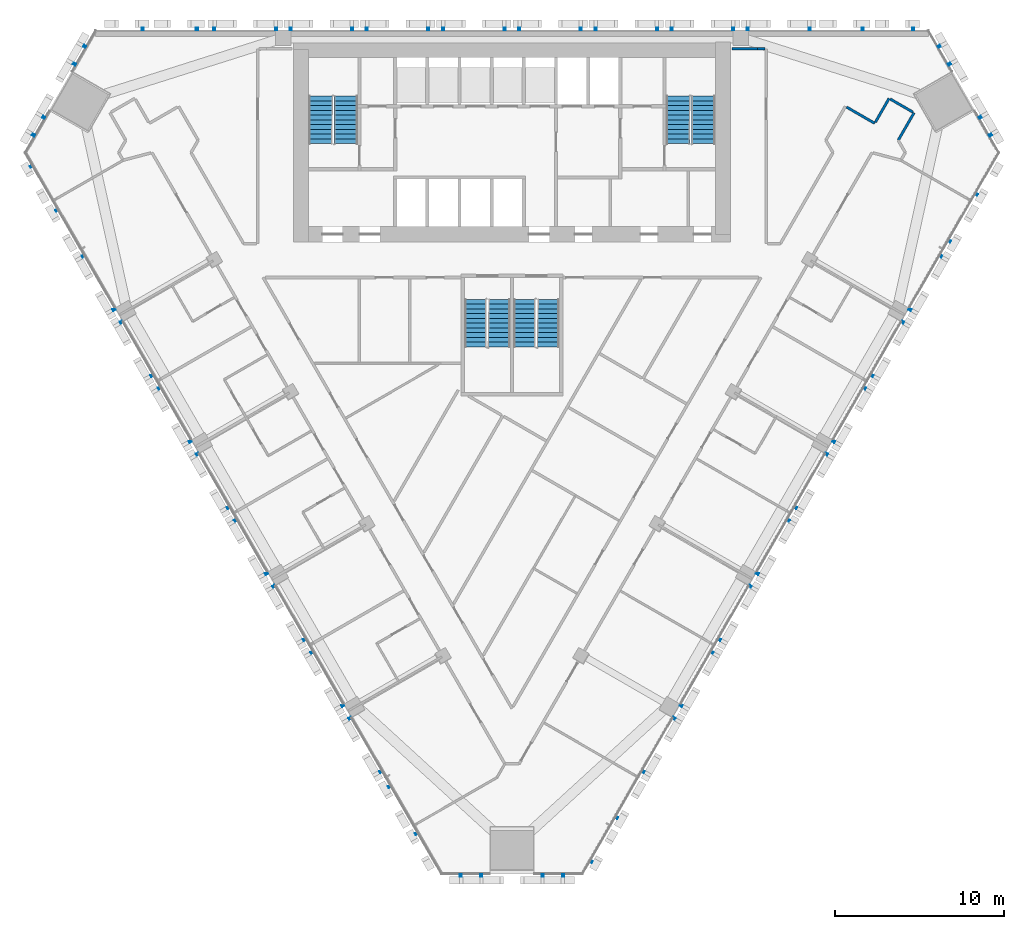
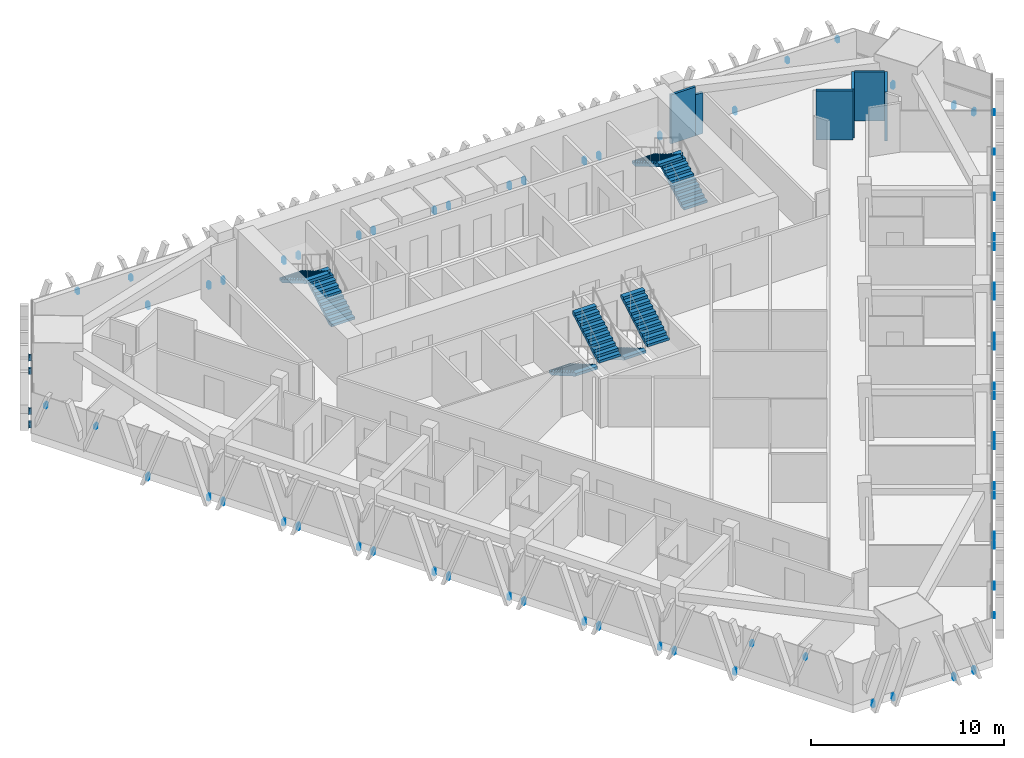
# One storey, part 13 of 16: 8 stair flights, 6 discrete accessories, 6 walls, 4 elements without a shape of their own.
"""IFC4 building model written with IfcOpenShell, lengths in metres."""

from ifc_helpers import new_model, si_unit, direction, frame, frame_2d, origin, place, context, subcontext, project, spatial, polyline, rectangle, outline, extrude, source, transform, mapped, material, layer, layer_set, type_object, element, aggregate, save


model = new_model("IFC4")

# Units and contexts
model_context = context("Model", 3, precision=1e-05, world=origin(), true_north=direction((0.0, 1.0)))
body_context = subcontext(model_context, "Body", "Model", "MODEL_VIEW")
ifc_project = project(units=[si_unit("LENGTHUNIT", "METRE"), si_unit("AREAUNIT", "SQUARE_METRE"), si_unit("VOLUMEUNIT", "CUBIC_METRE"), si_unit("PLANEANGLEUNIT", "RADIAN"), si_unit("MASSUNIT", "GRAM", prefix="KILO")], contexts=[model_context])

# Site, building, storey
site_placement = place(None, origin())
site = spatial("IfcSite", under=ifc_project, at=site_placement, CompositionType="ELEMENT")
building_placement = place(site_placement, origin())
building = spatial("IfcBuilding", under=site, at=building_placement, Name="Altiplano Prism Tower", CompositionType="ELEMENT")
storey_placement = place(building_placement, frame((0.0, 0.0, 104.39990234375)))
storey = spatial("IfcBuildingStorey", under=building, at=storey_placement, Name="L26", CompositionType="ELEMENT", Elevation=104.39990234375)

# Walls
ifc_material_1 = material(Name="Plasterboard on steel stud", Category="steel")
ifc_layer = layer(ifc_material_1, 0.14990234375)
ifc_layer_set = layer_set([ifc_layer], Name="Plasterboard on steel stud")
wall_type = type_object("IfcWallType", Name="Partition 150 corridor", PredefinedType="PARTITIONING", material=ifc_layer_set)
wall_1_placement = place(storey_placement, frame((107.798583984375, 98.5, 0.0), z_axis=(0.0, 0.0, 1.0), x_axis=(0.499951854219, 0.86605319898, 0.0)))
element("IfcWall", 1, at=wall_1_placement, inside=storey, type_object=wall_type, Name="Partition P06 L26 009", PredefinedType="PARTITIONING", context=body_context, shape_type="SweptSolid", body=[
    extrude(rectangle(XDim=1.873291015625, YDim=0.14990234375, at=frame_2d((0.9365234375, 0.0))), origin(), (0.0, 0.0, 1.0), 3.10009765625),
])
wall_2_placement = place(storey_placement, frame((108.670166015625, 100.15966796875, 0.0), z_axis=(0.0, 0.0, 1.0), x_axis=(-0.865975732936, 0.500086022567, 0.0)))
element("IfcWall", 2, at=wall_2_placement, inside=storey, type_object=wall_type, Name="Partition P06 L26 010", PredefinedType="PARTITIONING", context=body_context, shape_type="SweptSolid", body=[
    extrude(rectangle(XDim=1.550048828125, YDim=0.14990234375, at=frame_2d((0.77490234375, 0.0))), origin(), (0.0, 0.0, 1.0), 3.10009765625),
])
wall_3_placement = place(storey_placement, frame((107.262939453125, 100.97216796875, 0.0), z_axis=(0.0, 0.0, 1.0), x_axis=(-0.500017246033, -0.866015446554, 0.0)))
element("IfcWall", 3, at=wall_3_placement, inside=storey, type_object=wall_type, Name="Partition P06 L26 011", PredefinedType="PARTITIONING", context=body_context, shape_type="SweptSolid", body=[
    extrude(rectangle(XDim=1.625, YDim=0.14990234375, at=frame_2d((0.8125, 0.0))), origin(), (0.0, 0.0, 1.0), 3.10009765625),
])
wall_4_placement = place(storey_placement, frame((106.412841796875, 99.5, 0.0), z_axis=(0.0, 0.0, 1.0), x_axis=(-0.866033512162, 0.499985955615, 0.0)))
element("IfcWall", 4, at=wall_4_placement, inside=storey, type_object=wall_type, Name="Partition P06 L26 012", PredefinedType="PARTITIONING", context=body_context, shape_type="SweptSolid", body=[
    extrude(rectangle(XDim=1.9248046875, YDim=0.14990234375, at=frame_2d((0.96240234375, 0.0))), origin(), (0.0, 0.0, 1.0), 3.10009765625),
])
wall_5_placement = place(storey_placement, frame((99.925048828125, 103.89990234375, 0.0), z_axis=(0.0, 0.0, 1.0), x_axis=(-1.0, 0.0, 0.0)))
element("IfcWall", 5, at=wall_5_placement, inside=storey, type_object=wall_type, Name="Partition P06 L26 018", PredefinedType="PARTITIONING", context=body_context, shape_type="SweptSolid", body=[
    extrude(rectangle(XDim=0.431640625, YDim=0.14990234375, at=frame_2d((0.2158203125, 0.0))), origin(), (0.0, 0.0, 1.0), 2.60009765625),
])
wall_6_placement = place(storey_placement, frame((99.493408203125, 103.89990234375, 0.0), z_axis=(0.0, 0.0, 1.0), x_axis=(-1.0, 0.0, 0.0)))
element("IfcWall", 6, at=wall_6_placement, inside=storey, type_object=wall_type, Name="Partition P06 L26 019", PredefinedType="PARTITIONING", context=body_context, shape_type="SweptSolid", body=[
    extrude(rectangle(XDim=1.493408203125, YDim=0.14990234375, at=frame_2d((0.74658203125, 0.0))), origin(), (0.0, 0.0, 1.0), 3.10009765625),
])

# Stair, stair flights
ifc_material_2 = material(Name="Concrete C40/50", Category="concrete")
stair_type_1 = type_object("IfcStairType", Name="Exit stair 1400", PredefinedType="HALF_TURN_STAIR", material=ifc_material_2)
stair_1_placement = place(storey_placement, origin())
stair_1 = element("IfcStair", 7, at=stair_1_placement, inside=storey, type_object=stair_type_1, Name="L26 Exit Stair 1", PredefinedType="HALF_TURN_STAIR")
stair_flight_type = type_object("IfcStairFlightType", Name="Stair flight concrete 150", PredefinedType="STRAIGHT", material=ifc_material_2)
stair_flight_1_placement = place(storey_placement, frame((75.199951171875, 98.300048828125, 0.0), z_axis=(0.0, 0.0, 1.0), x_axis=(0.0, 1.0, 0.0)))
stair_flight_1 = element("IfcStairFlight", 8, at=stair_flight_1_placement, type_object=stair_flight_type, Name="ST1 flight 1", NumberOfRisers=11, NumberOfTreads=10, PredefinedType="STRAIGHT", RiserHeight=0.163636364, TreadLength=0.28, context=body_context, shape_type="SweptSolid", body=[
    extrude(outline(polyline([(0.0, 0.0), (0.0, 0.16357421875), (0.280029296875, 0.16357421875), (0.280029296875, 0.327392578125), (0.56005859375, 0.327392578125), (0.56005859375, 0.490966796875), (0.840087890625, 0.490966796875), (0.840087890625, 0.654541015625), (1.1201171875, 0.654541015625), (1.1201171875, 0.818115234375), (1.39990234375, 0.818115234375), (1.39990234375, 0.98193359375), (1.679931640625, 0.98193359375), (1.679931640625, 1.1455078125), (1.9599609375, 1.1455078125), (1.9599609375, 1.30908203125), (2.239990234375, 1.30908203125), (2.239990234375, 1.47265625), (2.52001953125, 1.47265625), (2.52001953125, 1.636474609375), (2.800048828125, 1.636474609375), (2.800048828125, 1.800048828125), (2.800048828125, 1.462646484375), (0.297119140625, 0.0), (0.0, 0.0)])), frame((0.0, 0.699951171875, 0.0), z_axis=(0.0, -1.0, 0.0), x_axis=(1.0, 0.0, 0.0)), (0.0, 0.0, 1.0), 1.39990234375),
])
stair_flight_2_placement = place(storey_placement, frame((73.699951171875, 101.10009765625, 1.800048828125), z_axis=(0.0, 0.0, 1.0), x_axis=(0.0, -1.0, 0.0)))
stair_flight_2 = element("IfcStairFlight", 9, at=stair_flight_2_placement, type_object=stair_flight_type, Name="ST1 flight 2", NumberOfRisers=11, NumberOfTreads=10, PredefinedType="STRAIGHT", RiserHeight=0.163636364, TreadLength=0.28, context=body_context, shape_type="SweptSolid", body=[
    extrude(outline(polyline([(0.0, 0.0), (0.0, 0.16357421875), (0.280029296875, 0.16357421875), (0.280029296875, 0.327392578125), (0.56005859375, 0.327392578125), (0.56005859375, 0.490966796875), (0.840087890625, 0.490966796875), (0.840087890625, 0.654541015625), (1.1201171875, 0.654541015625), (1.1201171875, 0.818115234375), (1.39990234375, 0.818115234375), (1.39990234375, 0.98193359375), (1.679931640625, 0.98193359375), (1.679931640625, 1.1455078125), (1.9599609375, 1.1455078125), (1.9599609375, 1.30908203125), (2.239990234375, 1.30908203125), (2.239990234375, 1.47265625), (2.52001953125, 1.47265625), (2.52001953125, 1.636474609375), (2.800048828125, 1.636474609375), (2.800048828125, 1.800048828125), (2.800048828125, 1.462646484375), (0.297119140625, 0.0), (0.0, 0.0)])), frame((0.0, 0.699951171875, 0.0), z_axis=(0.0, -1.0, 0.0), x_axis=(1.0, 0.0, 0.0)), (0.0, 0.0, 1.0), 1.39990234375),
])
aggregate(stair_1, [stair_flight_1, stair_flight_2])

stair_2_placement = place(storey_placement, origin())
stair_2 = element("IfcStair", 10, at=stair_2_placement, inside=storey, type_object=stair_type_1, Name="L26 Exit Stair 2", PredefinedType="HALF_TURN_STAIR")
stair_flight_3_placement = place(storey_placement, frame((96.300048828125, 98.300048828125, 0.0), z_axis=(0.0, 0.0, 1.0), x_axis=(0.0, 1.0, 0.0)))
stair_flight_3 = element("IfcStairFlight", 11, at=stair_flight_3_placement, type_object=stair_flight_type, Name="ST2 flight 1", NumberOfRisers=11, NumberOfTreads=10, PredefinedType="STRAIGHT", RiserHeight=0.163636364, TreadLength=0.28, context=body_context, shape_type="SweptSolid", body=[
    extrude(outline(polyline([(0.0, 0.0), (0.0, 0.16357421875), (0.280029296875, 0.16357421875), (0.280029296875, 0.327392578125), (0.56005859375, 0.327392578125), (0.56005859375, 0.490966796875), (0.840087890625, 0.490966796875), (0.840087890625, 0.654541015625), (1.1201171875, 0.654541015625), (1.1201171875, 0.818115234375), (1.39990234375, 0.818115234375), (1.39990234375, 0.98193359375), (1.679931640625, 0.98193359375), (1.679931640625, 1.1455078125), (1.9599609375, 1.1455078125), (1.9599609375, 1.30908203125), (2.239990234375, 1.30908203125), (2.239990234375, 1.47265625), (2.52001953125, 1.47265625), (2.52001953125, 1.636474609375), (2.800048828125, 1.636474609375), (2.800048828125, 1.800048828125), (2.800048828125, 1.462646484375), (0.297119140625, 0.0), (0.0, 0.0)])), frame((0.0, 0.699951171875, 0.0), z_axis=(0.0, -1.0, 0.0), x_axis=(1.0, 0.0, 0.0)), (0.0, 0.0, 1.0), 1.39990234375),
])
stair_flight_4_placement = place(storey_placement, frame((94.800048828125, 101.10009765625, 1.800048828125), z_axis=(0.0, 0.0, 1.0), x_axis=(0.0, -1.0, 0.0)))
stair_flight_4 = element("IfcStairFlight", 12, at=stair_flight_4_placement, type_object=stair_flight_type, Name="ST2 flight 2", NumberOfRisers=11, NumberOfTreads=10, PredefinedType="STRAIGHT", RiserHeight=0.163636364, TreadLength=0.28, context=body_context, shape_type="SweptSolid", body=[
    extrude(outline(polyline([(0.0, 0.0), (0.0, 0.16357421875), (0.280029296875, 0.16357421875), (0.280029296875, 0.327392578125), (0.56005859375, 0.327392578125), (0.56005859375, 0.490966796875), (0.840087890625, 0.490966796875), (0.840087890625, 0.654541015625), (1.1201171875, 0.654541015625), (1.1201171875, 0.818115234375), (1.39990234375, 0.818115234375), (1.39990234375, 0.98193359375), (1.679931640625, 0.98193359375), (1.679931640625, 1.1455078125), (1.9599609375, 1.1455078125), (1.9599609375, 1.30908203125), (2.239990234375, 1.30908203125), (2.239990234375, 1.47265625), (2.52001953125, 1.47265625), (2.52001953125, 1.636474609375), (2.800048828125, 1.636474609375), (2.800048828125, 1.800048828125), (2.800048828125, 1.462646484375), (0.297119140625, 0.0), (0.0, 0.0)])), frame((0.0, 0.699951171875, 0.0), z_axis=(0.0, -1.0, 0.0), x_axis=(1.0, 0.0, 0.0)), (0.0, 0.0, 1.0), 1.39990234375),
])
aggregate(stair_2, [stair_flight_3, stair_flight_4])

stair_type_2 = type_object("IfcStairType", Name="Exit stair 1300", PredefinedType="HALF_TURN_STAIR", material=ifc_material_2)
stair_3_placement = place(storey_placement, origin())
stair_3 = element("IfcStair", 13, at=stair_3_placement, inside=storey, type_object=stair_type_2, Name="L26 Exit Stair 3A", PredefinedType="HALF_TURN_STAIR")
stair_flight_5_placement = place(storey_placement, frame((82.85009765625, 89.10009765625, 0.0), z_axis=(0.0, 0.0, 1.0), x_axis=(0.0, -1.0, 0.0)))
stair_flight_5 = element("IfcStairFlight", 14, at=stair_flight_5_placement, type_object=stair_flight_type, Name="ST3A flight 1", NumberOfRisers=11, NumberOfTreads=10, PredefinedType="STRAIGHT", RiserHeight=0.163636364, TreadLength=0.28, context=body_context, shape_type="SweptSolid", body=[
    extrude(outline(polyline([(0.0, 0.0), (0.0, 0.16357421875), (0.280029296875, 0.16357421875), (0.280029296875, 0.327392578125), (0.56005859375, 0.327392578125), (0.56005859375, 0.490966796875), (0.840087890625, 0.490966796875), (0.840087890625, 0.654541015625), (1.1201171875, 0.654541015625), (1.1201171875, 0.818115234375), (1.39990234375, 0.818115234375), (1.39990234375, 0.98193359375), (1.679931640625, 0.98193359375), (1.679931640625, 1.1455078125), (1.9599609375, 1.1455078125), (1.9599609375, 1.30908203125), (2.239990234375, 1.30908203125), (2.239990234375, 1.47265625), (2.52001953125, 1.47265625), (2.52001953125, 1.636474609375), (2.800048828125, 1.636474609375), (2.800048828125, 1.800048828125), (2.800048828125, 1.462646484375), (0.297119140625, 0.0), (0.0, 0.0)])), frame((0.0, 0.64990234375, 0.0), z_axis=(0.0, -1.0, 0.0), x_axis=(1.0, 0.0, 0.0)), (0.0, 0.0, 1.0), 1.300048828125),
])
stair_flight_6_placement = place(storey_placement, frame((84.25, 86.300048828125, 1.800048828125), z_axis=(0.0, 0.0, 1.0), x_axis=(0.0, 1.0, 0.0)))
stair_flight_6 = element("IfcStairFlight", 15, at=stair_flight_6_placement, type_object=stair_flight_type, Name="ST3A flight 2", NumberOfRisers=11, NumberOfTreads=10, PredefinedType="STRAIGHT", RiserHeight=0.163636364, TreadLength=0.28, context=body_context, shape_type="SweptSolid", body=[
    extrude(outline(polyline([(0.0, 0.0), (0.0, 0.16357421875), (0.280029296875, 0.16357421875), (0.280029296875, 0.327392578125), (0.56005859375, 0.327392578125), (0.56005859375, 0.490966796875), (0.840087890625, 0.490966796875), (0.840087890625, 0.654541015625), (1.1201171875, 0.654541015625), (1.1201171875, 0.818115234375), (1.39990234375, 0.818115234375), (1.39990234375, 0.98193359375), (1.679931640625, 0.98193359375), (1.679931640625, 1.1455078125), (1.9599609375, 1.1455078125), (1.9599609375, 1.30908203125), (2.239990234375, 1.30908203125), (2.239990234375, 1.47265625), (2.52001953125, 1.47265625), (2.52001953125, 1.636474609375), (2.800048828125, 1.636474609375), (2.800048828125, 1.800048828125), (2.800048828125, 1.462646484375), (0.297119140625, 0.0), (0.0, 0.0)])), frame((0.0, 0.64990234375, 0.0), z_axis=(0.0, -1.0, 0.0), x_axis=(1.0, 0.0, 0.0)), (0.0, 0.0, 1.0), 1.300048828125),
])
aggregate(stair_3, [stair_flight_5, stair_flight_6])

stair_4_placement = place(storey_placement, origin())
stair_4 = element("IfcStair", 16, at=stair_4_placement, inside=storey, type_object=stair_type_2, Name="L26 Exit Stair 3B", PredefinedType="HALF_TURN_STAIR")
stair_flight_7_placement = place(storey_placement, frame((85.75, 89.10009765625, 0.0), z_axis=(0.0, 0.0, 1.0), x_axis=(0.0, -1.0, 0.0)))
stair_flight_7 = element("IfcStairFlight", 17, at=stair_flight_7_placement, type_object=stair_flight_type, Name="ST3B flight 1", NumberOfRisers=11, NumberOfTreads=10, PredefinedType="STRAIGHT", RiserHeight=0.163636364, TreadLength=0.28, context=body_context, shape_type="SweptSolid", body=[
    extrude(outline(polyline([(0.0, 0.0), (0.0, 0.16357421875), (0.280029296875, 0.16357421875), (0.280029296875, 0.327392578125), (0.56005859375, 0.327392578125), (0.56005859375, 0.490966796875), (0.840087890625, 0.490966796875), (0.840087890625, 0.654541015625), (1.1201171875, 0.654541015625), (1.1201171875, 0.818115234375), (1.39990234375, 0.818115234375), (1.39990234375, 0.98193359375), (1.679931640625, 0.98193359375), (1.679931640625, 1.1455078125), (1.9599609375, 1.1455078125), (1.9599609375, 1.30908203125), (2.239990234375, 1.30908203125), (2.239990234375, 1.47265625), (2.52001953125, 1.47265625), (2.52001953125, 1.636474609375), (2.800048828125, 1.636474609375), (2.800048828125, 1.800048828125), (2.800048828125, 1.462646484375), (0.297119140625, 0.0), (0.0, 0.0)])), frame((0.0, 0.64990234375, 0.0), z_axis=(0.0, -1.0, 0.0), x_axis=(1.0, 0.0, 0.0)), (0.0, 0.0, 1.0), 1.300048828125),
])
stair_flight_8_placement = place(storey_placement, frame((87.14990234375, 86.300048828125, 1.800048828125), z_axis=(0.0, 0.0, 1.0), x_axis=(0.0, 1.0, 0.0)))
stair_flight_8 = element("IfcStairFlight", 18, at=stair_flight_8_placement, type_object=stair_flight_type, Name="ST3B flight 2", NumberOfRisers=11, NumberOfTreads=10, PredefinedType="STRAIGHT", RiserHeight=0.163636364, TreadLength=0.28, context=body_context, shape_type="SweptSolid", body=[
    extrude(outline(polyline([(0.0, 0.0), (0.0, 0.16357421875), (0.280029296875, 0.16357421875), (0.280029296875, 0.327392578125), (0.56005859375, 0.327392578125), (0.56005859375, 0.490966796875), (0.840087890625, 0.490966796875), (0.840087890625, 0.654541015625), (1.1201171875, 0.654541015625), (1.1201171875, 0.818115234375), (1.39990234375, 0.818115234375), (1.39990234375, 0.98193359375), (1.679931640625, 0.98193359375), (1.679931640625, 1.1455078125), (1.9599609375, 1.1455078125), (1.9599609375, 1.30908203125), (2.239990234375, 1.30908203125), (2.239990234375, 1.47265625), (2.52001953125, 1.47265625), (2.52001953125, 1.636474609375), (2.800048828125, 1.636474609375), (2.800048828125, 1.800048828125), (2.800048828125, 1.462646484375), (0.297119140625, 0.0), (0.0, 0.0)])), frame((0.0, 0.64990234375, 0.0), z_axis=(0.0, -1.0, 0.0), x_axis=(1.0, 0.0, 0.0)), (0.0, 0.0, 1.0), 1.300048828125),
])
aggregate(stair_4, [stair_flight_7, stair_flight_8])

# Discrete accessories
ifc_material_3 = material(Name="Stainless steel", Category="steel")
discrete_accessory_type = type_object("IfcDiscreteAccessoryType", Name="Stone fin fixing prongs", PredefinedType="USERDEFINED", material=ifc_material_3)
shared_shape_1 = source(origin(), body_context, "Body", "SweptSolid", [
    extrude(outline(polyline([(-1.012451171875, 2.481689453125), (-0.892333984375, 2.481689453125), (-0.892333984375, 2.78173828125), (-1.012451171875, 2.78173828125), (-1.012451171875, 2.481689453125)])), frame((0.0, 0.0, 0.0), z_axis=(0.0, -1.0, 0.0), x_axis=(1.0, 0.0, 0.0)), (0.0, 0.0, 1.0), 0.14990234375),
])
shared_shape_2 = source(origin(), body_context, "Body", "SweptSolid", [
    extrude(outline(polyline([(-1.11181640625, 2.20849609375), (-0.991943359375, 2.20849609375), (-0.991943359375, 2.508544921875), (-1.11181640625, 2.508544921875), (-1.11181640625, 2.20849609375)])), frame((0.0, 0.0, 0.0), z_axis=(0.0, -1.0, 0.0), x_axis=(1.0, 0.0, 0.0)), (0.0, 0.0, 1.0), 0.14990234375),
])
shared_shape_3 = source(origin(), body_context, "Body", "SweptSolid", [
    extrude(outline(polyline([(-1.87939453125, 0.06005859375), (-1.75927734375, 0.06005859375), (-1.75927734375, 0.43994140625), (-1.87939453125, 0.43994140625), (-1.87939453125, 0.06005859375)])), frame((0.0, 0.0, 0.0), z_axis=(0.0, -1.0, 0.0), x_axis=(1.0, 0.0, 0.0)), (0.0, 0.0, 1.0), 0.14990234375),
    extrude(outline(polyline([(1.75927734375, 0.06005859375), (1.87939453125, 0.06005859375), (1.87939453125, 0.43994140625), (1.75927734375, 0.43994140625), (1.75927734375, 0.06005859375)])), frame((0.0, 0.0, 0.0), z_axis=(0.0, -1.0, 0.0), x_axis=(1.0, 0.0, 0.0)), (0.0, 0.0, 1.0), 0.14990234375),
])
discrete_accessory_1_placement = place(storey_placement, origin())
element("IfcDiscreteAccessory", 19, at=discrete_accessory_1_placement, inside=storey, type_object=discrete_accessory_type, Name="Fin fixings L26 north face", ObjectType="BRACKET", PredefinedType="USERDEFINED", context=body_context, shape_type="MappedRepresentation", body=[
    mapped(shared_shape_1, transform((107.7412109375, 105.0, -0.5), x_axis=(-1.0, 0.0, 0.0), y_axis=(0.0, -1.0, 0.0), z_axis=(0.0, 0.0, 1.0))),
    mapped(shared_shape_2, transform((104.64697265625, 105.0, -0.5), x_axis=(-1.0, 0.0, 0.0), y_axis=(0.0, -1.0, 0.0), z_axis=(0.0, 0.0, 1.0))),
    mapped(shared_shape_3, transform((100.75, 105.0, -0.5), x_axis=(-1.0, 0.0, 0.0), y_axis=(0.0, -1.0, 0.0), z_axis=(0.0, 0.0, 1.0))),
    mapped(shared_shape_3, transform((96.25, 105.0, -0.5), x_axis=(-1.0, 0.0, 0.0), y_axis=(0.0, -1.0, 0.0), z_axis=(0.0, 0.0, 1.0))),
    mapped(shared_shape_3, transform((91.75, 105.0, -0.5), x_axis=(-1.0, 0.0, 0.0), y_axis=(0.0, -1.0, 0.0), z_axis=(0.0, 0.0, 1.0))),
    mapped(shared_shape_3, transform((87.25, 105.0, -0.5), x_axis=(-1.0, 0.0, 0.0), y_axis=(0.0, -1.0, 0.0), z_axis=(0.0, 0.0, 1.0))),
    mapped(shared_shape_3, transform((82.75, 105.0, -0.5), x_axis=(-1.0, 0.0, 0.0), y_axis=(0.0, -1.0, 0.0), z_axis=(0.0, 0.0, 1.0))),
    mapped(shared_shape_3, transform((78.25, 105.0, -0.5), x_axis=(-1.0, 0.0, 0.0), y_axis=(0.0, -1.0, 0.0), z_axis=(0.0, 0.0, 1.0))),
    mapped(shared_shape_3, transform((73.75, 105.0, -0.5), x_axis=(-1.0, 0.0, 0.0), y_axis=(0.0, -1.0, 0.0), z_axis=(0.0, 0.0, 1.0))),
    mapped(shared_shape_3, transform((69.25, 105.0, -0.5), x_axis=(-1.0, 0.0, 0.0), y_axis=(0.0, -1.0, 0.0), z_axis=(0.0, 0.0, 1.0))),
    mapped(shared_shape_2, transform((65.35302734375, 105.0, -0.5), x_axis=(-1.0, 0.0, 0.0), y_axis=(0.0, -1.0, 0.0), z_axis=(0.0, 0.0, 1.0))),
    mapped(shared_shape_1, transform((62.2587890625, 105.0, -0.5), x_axis=(-1.0, 0.0, 0.0), y_axis=(0.0, -1.0, 0.0), z_axis=(0.0, 0.0, 1.0))),
])
discrete_accessory_2_placement = place(storey_placement, origin())
element("IfcDiscreteAccessory", 20, at=discrete_accessory_2_placement, inside=storey, type_object=discrete_accessory_type, Name="Fin fixings L26 south-west face", ObjectType="BRACKET", PredefinedType="USERDEFINED", context=body_context, shape_type="MappedRepresentation", body=[
    mapped(shared_shape_1, transform((57.16259765625, 96.17333984375, -0.5), x_axis=(0.500000003023, -0.866025402039, 0.0), y_axis=(0.866025402039, 0.500000003023, 0.0), z_axis=(0.0, 0.0, 1.0))),
    mapped(shared_shape_2, transform((58.709716796875, 93.49365234375, -0.5), x_axis=(0.500000003023, -0.866025402039, 0.0), y_axis=(0.866025402039, 0.500000003023, 0.0), z_axis=(0.0, 0.0, 1.0))),
    mapped(shared_shape_3, transform((60.658203125, 90.11865234375, -0.5), x_axis=(0.500000003023, -0.866025402039, 0.0), y_axis=(0.866025402039, 0.500000003023, 0.0), z_axis=(0.0, 0.0, 1.0))),
    mapped(shared_shape_3, transform((62.908203125, 86.221435546875, -0.5), x_axis=(0.500000003023, -0.866025402039, 0.0), y_axis=(0.866025402039, 0.500000003023, 0.0), z_axis=(0.0, 0.0, 1.0))),
    mapped(shared_shape_3, transform((65.158203125, 82.324462890625, -0.5), x_axis=(0.500000003023, -0.866025402039, 0.0), y_axis=(0.866025402039, 0.500000003023, 0.0), z_axis=(0.0, 0.0, 1.0))),
    mapped(shared_shape_3, transform((67.408203125, 78.42724609375, -0.5), x_axis=(0.500000003023, -0.866025402039, 0.0), y_axis=(0.866025402039, 0.500000003023, 0.0), z_axis=(0.0, 0.0, 1.0))),
    mapped(shared_shape_3, transform((69.658203125, 74.5302734375, -0.5), x_axis=(0.500000003023, -0.866025402039, 0.0), y_axis=(0.866025402039, 0.500000003023, 0.0), z_axis=(0.0, 0.0, 1.0))),
    mapped(shared_shape_3, transform((71.908203125, 70.633056640625, -0.5), x_axis=(0.500000003023, -0.866025402039, 0.0), y_axis=(0.866025402039, 0.500000003023, 0.0), z_axis=(0.0, 0.0, 1.0))),
    mapped(shared_shape_3, transform((74.158203125, 66.73583984375, -0.5), x_axis=(0.500000003023, -0.866025402039, 0.0), y_axis=(0.866025402039, 0.500000003023, 0.0), z_axis=(0.0, 0.0, 1.0))),
    mapped(shared_shape_3, transform((76.408203125, 62.8388671875, -0.5), x_axis=(0.500000003023, -0.866025402039, 0.0), y_axis=(0.866025402039, 0.500000003023, 0.0), z_axis=(0.0, 0.0, 1.0))),
    mapped(shared_shape_2, transform((78.356689453125, 59.4638671875, -0.5), x_axis=(0.500000003023, -0.866025402039, 0.0), y_axis=(0.866025402039, 0.500000003023, 0.0), z_axis=(0.0, 0.0, 1.0))),
    mapped(shared_shape_1, transform((79.90380859375, 56.7841796875, -0.5), x_axis=(0.500000003023, -0.866025402039, 0.0), y_axis=(0.866025402039, 0.500000003023, 0.0), z_axis=(0.0, 0.0, 1.0))),
])
discrete_accessory_3_placement = place(storey_placement, origin())
element("IfcDiscreteAccessory", 21, at=discrete_accessory_3_placement, inside=storey, type_object=discrete_accessory_type, Name="Fin fixings L26 south-east face", ObjectType="BRACKET", PredefinedType="USERDEFINED", context=body_context, shape_type="MappedRepresentation", body=[
    mapped(shared_shape_1, transform((90.09619140625, 56.7841796875, -0.5), x_axis=(0.500000003023, 0.866025402039, 0.0), y_axis=(-0.866025402039, 0.500000003023, 0.0), z_axis=(0.0, 0.0, 1.0))),
    mapped(shared_shape_2, transform((91.643310546875, 59.4638671875, -0.5), x_axis=(0.500000003023, 0.866025402039, 0.0), y_axis=(-0.866025402039, 0.500000003023, 0.0), z_axis=(0.0, 0.0, 1.0))),
    mapped(shared_shape_3, transform((93.591796875, 62.8388671875, -0.5), x_axis=(0.500000003023, 0.866025402039, 0.0), y_axis=(-0.866025402039, 0.500000003023, 0.0), z_axis=(0.0, 0.0, 1.0))),
    mapped(shared_shape_3, transform((95.841796875, 66.73583984375, -0.5), x_axis=(0.500000003023, 0.866025402039, 0.0), y_axis=(-0.866025402039, 0.500000003023, 0.0), z_axis=(0.0, 0.0, 1.0))),
    mapped(shared_shape_3, transform((98.091796875, 70.633056640625, -0.5), x_axis=(0.500000003023, 0.866025402039, 0.0), y_axis=(-0.866025402039, 0.500000003023, 0.0), z_axis=(0.0, 0.0, 1.0))),
    mapped(shared_shape_3, transform((100.341796875, 74.5302734375, -0.5), x_axis=(0.500000003023, 0.866025402039, 0.0), y_axis=(-0.866025402039, 0.500000003023, 0.0), z_axis=(0.0, 0.0, 1.0))),
    mapped(shared_shape_3, transform((102.591796875, 78.42724609375, -0.5), x_axis=(0.500000003023, 0.866025402039, 0.0), y_axis=(-0.866025402039, 0.500000003023, 0.0), z_axis=(0.0, 0.0, 1.0))),
    mapped(shared_shape_3, transform((104.841796875, 82.324462890625, -0.5), x_axis=(0.500000003023, 0.866025402039, 0.0), y_axis=(-0.866025402039, 0.500000003023, 0.0), z_axis=(0.0, 0.0, 1.0))),
    mapped(shared_shape_3, transform((107.091796875, 86.221435546875, -0.5), x_axis=(0.500000003023, 0.866025402039, 0.0), y_axis=(-0.866025402039, 0.500000003023, 0.0), z_axis=(0.0, 0.0, 1.0))),
    mapped(shared_shape_3, transform((109.341796875, 90.11865234375, -0.5), x_axis=(0.500000003023, 0.866025402039, 0.0), y_axis=(-0.866025402039, 0.500000003023, 0.0), z_axis=(0.0, 0.0, 1.0))),
    mapped(shared_shape_2, transform((111.290283203125, 93.49365234375, -0.5), x_axis=(0.500000003023, 0.866025402039, 0.0), y_axis=(-0.866025402039, 0.500000003023, 0.0), z_axis=(0.0, 0.0, 1.0))),
    mapped(shared_shape_1, transform((112.83740234375, 96.17333984375, -0.5), x_axis=(0.500000003023, 0.866025402039, 0.0), y_axis=(-0.866025402039, 0.500000003023, 0.0), z_axis=(0.0, 0.0, 1.0))),
])
shared_shape_4 = source(origin(), body_context, "Body", "SweptSolid", [
    extrude(outline(polyline([(-3.079345703125, 0.06005859375), (-2.959228515625, 0.06005859375), (-2.959228515625, 0.43994140625), (-3.079345703125, 0.43994140625), (-3.079345703125, 0.06005859375)])), frame((0.0, 0.0, 0.0), z_axis=(0.0, -1.0, 0.0), x_axis=(1.0, 0.0, 0.0)), (0.0, 0.0, 1.0), 0.14990234375),
    extrude(outline(polyline([(-1.87939453125, 0.06005859375), (-1.75927734375, 0.06005859375), (-1.75927734375, 0.43994140625), (-1.87939453125, 0.43994140625), (-1.87939453125, 0.06005859375)])), frame((0.0, 0.0, 0.0), z_axis=(0.0, -1.0, 0.0), x_axis=(1.0, 0.0, 0.0)), (0.0, 0.0, 1.0), 0.14990234375),
    extrude(outline(polyline([(1.75927734375, 0.06005859375), (1.87939453125, 0.06005859375), (1.87939453125, 0.43994140625), (1.75927734375, 0.43994140625), (1.75927734375, 0.06005859375)])), frame((0.0, 0.0, 0.0), z_axis=(0.0, -1.0, 0.0), x_axis=(1.0, 0.0, 0.0)), (0.0, 0.0, 1.0), 0.14990234375),
    extrude(outline(polyline([(2.959228515625, 0.06005859375), (3.079345703125, 0.06005859375), (3.079345703125, 0.43994140625), (2.959228515625, 0.43994140625), (2.959228515625, 0.06005859375)])), frame((0.0, 0.0, 0.0), z_axis=(0.0, -1.0, 0.0), x_axis=(1.0, 0.0, 0.0)), (0.0, 0.0, 1.0), 0.14990234375),
])
discrete_accessory_4_placement = place(storey_placement, origin())
element("IfcDiscreteAccessory", 22, at=discrete_accessory_4_placement, inside=storey, type_object=discrete_accessory_type, Name="Fin fixings L26 north-west chamfer", ObjectType="BRACKET", PredefinedType="USERDEFINED", context=body_context, shape_type="MappedRepresentation", body=[
    mapped(shared_shape_4, transform((58.325439453125, 101.386474609375, -0.5), x_axis=(-0.500000036, -0.866025383, 0.0), y_axis=(0.866025383, -0.500000036, 0.0), z_axis=(0.0, 0.0, 1.0))),
])
discrete_accessory_5_placement = place(storey_placement, origin())
element("IfcDiscreteAccessory", 23, at=discrete_accessory_5_placement, inside=storey, type_object=discrete_accessory_type, Name="Fin fixings L26 south chamfer", ObjectType="BRACKET", PredefinedType="USERDEFINED", context=body_context, shape_type="MappedRepresentation", body=[
    mapped(shared_shape_4, transform((85.0, 55.1845703125, -0.5), x_axis=(1.0, 0.0, 0.0), y_axis=(0.0, 1.0, 0.0), z_axis=(0.0, 0.0, 1.0))),
])
discrete_accessory_6_placement = place(storey_placement, origin())
element("IfcDiscreteAccessory", 24, at=discrete_accessory_6_placement, inside=storey, type_object=discrete_accessory_type, Name="Fin fixings L26 north-east chamfer", ObjectType="BRACKET", PredefinedType="USERDEFINED", context=body_context, shape_type="MappedRepresentation", body=[
    mapped(shared_shape_4, transform((111.674560546875, 101.386474609375, -0.5), x_axis=(-0.500000036, 0.866025383, 0.0), y_axis=(-0.866025383, -0.500000036, 0.0), z_axis=(0.0, 0.0, 1.0))),
])

save(model, "model.ifc")
